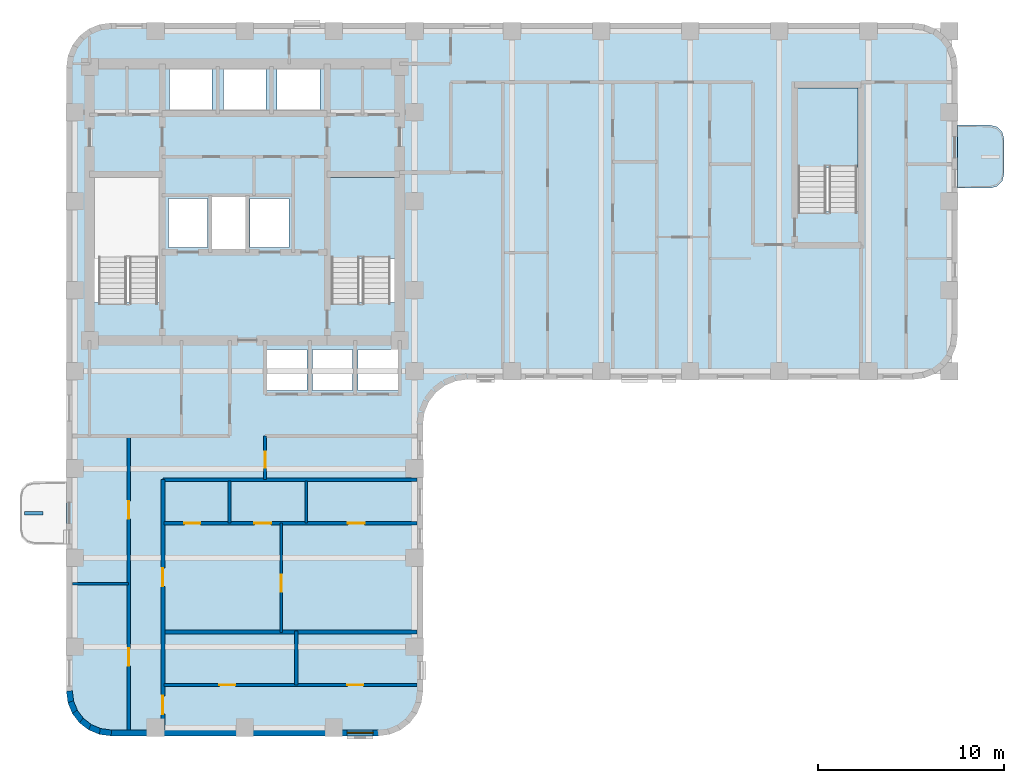
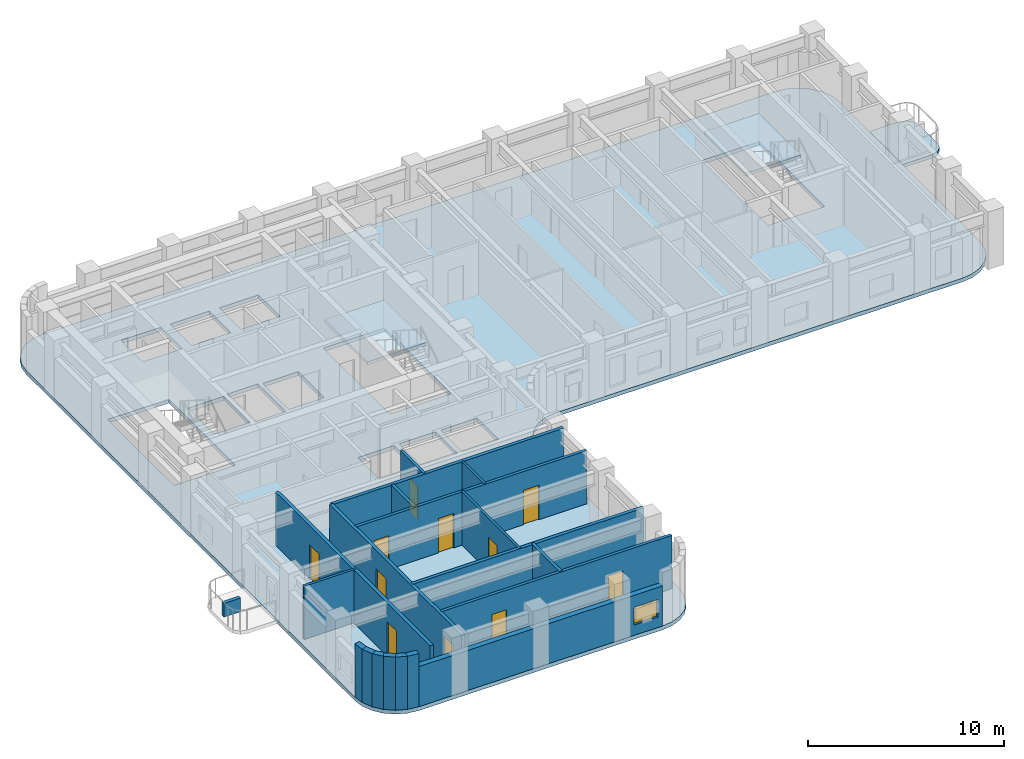
# One storey, part 2 of 10: 20 walls, 11 doors, 4 slabs, 1 window, 12 openings, 2 elements without a shape of their own.
"""IFC4 building model written with IfcOpenShell, lengths in metres."""

from ifc_helpers import new_model, si_unit, direction, frame, frame_2d, origin, place, context, subcontext, project, spatial, polyline, rectangle, outline, extrude, material, layer, layer_set, type_object, element, fill, aggregate, save


model = new_model("IFC4")

# Units and contexts
model_context = context("Model", 3, precision=1e-05, world=origin(), true_north=direction((0.0, 1.0)))
body_context = subcontext(model_context, "Body", "Model", "MODEL_VIEW")
ifc_project = project(units=[si_unit("LENGTHUNIT", "METRE"), si_unit("AREAUNIT", "SQUARE_METRE"), si_unit("VOLUMEUNIT", "CUBIC_METRE"), si_unit("PLANEANGLEUNIT", "RADIAN"), si_unit("MASSUNIT", "GRAM", prefix="KILO")], contexts=[model_context])

# Site, building, storey
site_placement = place(None, origin())
site = spatial("IfcSite", under=ifc_project, at=site_placement, CompositionType="ELEMENT")
building_placement = place(site_placement, origin())
building = spatial("IfcBuilding", under=site, at=building_placement, Name="Orvandelia Arch Residences", CompositionType="ELEMENT")
storey_placement = place(building_placement, frame((0.0, 0.0, 150.39990234375)))
storey = spatial("IfcBuildingStorey", under=building, at=storey_placement, Name="L39", CompositionType="ELEMENT", Elevation=150.39990234375)

# Slab
ifc_material_1 = material(Name="Precast concrete C40/50", Category="concrete")
ifc_layer_1 = layer(ifc_material_1, 0.219970703125, Name="Precast concrete C40/50", Category="concrete")
ifc_layer_set_1 = layer_set([ifc_layer_1], Name="Precast concrete C40/50")
slab_type_1 = type_object("IfcSlabType", Name="SLB-BAL-220", PredefinedType="USERDEFINED", material=ifc_layer_set_1)
slab_1_placement = place(storey_placement, frame((0.0, 0.0, -0.219970703125)))
element("IfcSlab", 1, at=slab_1_placement, inside=storey, type_object=slab_type_1, Name="Tree Balcony Cantilever Slab BAL-L39-E1", ObjectType="BALCONY", PredefinedType="USERDEFINED", context=body_context, shape_type="SweptSolid", body=[
    extrude(outline(polyline([(52.800048828125, 42.5), (52.800048828125, 39.10009765625), (54.550048828125, 39.10009765625), (54.925048828125, 39.200439453125), (55.199462890625, 39.47509765625), (55.300048828125, 39.85009765625), (55.300048828125, 41.75), (55.199462890625, 42.125), (54.925048828125, 42.3994140625), (54.550048828125, 42.5), (52.800048828125, 42.5)])), origin(), (0.0, 0.0, 1.0), 0.219970703125),
])

# Stair, slab
ifc_material_2 = material(Name="Concrete C40/50", Category="concrete")
stair_type = type_object("IfcStairType", Name="STAIR-RC-DOGLEG", PredefinedType="HALF_TURN_STAIR", material=ifc_material_2)
stair_1_placement = place(storey_placement, origin())
stair_1 = element("IfcStair", 2, at=stair_1_placement, inside=storey, type_object=stair_type, Name="L39 Protected Exit Stair ST-2", PredefinedType="HALF_TURN_STAIR")
ifc_layer_2 = layer(ifc_material_2, 0.219970703125, Name="Concrete C40/50", Category="concrete")
ifc_layer_set_2 = layer_set([ifc_layer_2], Name="Concrete C40/50")
slab_type_2 = type_object("IfcSlabType", Name="SLB-LANDING-220", PredefinedType="LANDING", material=ifc_layer_set_2)
slab_2_placement = place(storey_placement, frame((0.0, 0.0, 1.60009765625)))
slab_2 = element("IfcSlab", 3, at=slab_2_placement, type_object=slab_type_2, Name="ST-2 landing 1", PredefinedType="LANDING", context=body_context, shape_type="SweptSolid", body=[
    extrude(outline(polyline([(22.5400390625, 35.31005859375), (22.5400390625, 39.68994140625), (19.0, 39.68994140625), (19.0, 35.31005859375), (22.5400390625, 35.31005859375)])), origin(), (0.0, 0.0, 1.0), 0.199951171875),
])
aggregate(stair_1, [slab_2])

stair_2_placement = place(storey_placement, origin())
stair_2 = element("IfcStair", 4, at=stair_2_placement, inside=storey, type_object=stair_type, Name="L39 East Wing Exit Stair ST-3", PredefinedType="HALF_TURN_STAIR")
slab_3_placement = place(storey_placement, frame((0.0, 0.0, 1.60009765625)))
slab_3 = element("IfcSlab", 5, at=slab_3_placement, type_object=slab_type_2, Name="ST-3 landing 1", PredefinedType="LANDING", context=body_context, shape_type="SweptSolid", body=[
    extrude(outline(polyline([(47.43994140625, 40.2099609375), (47.43994140625, 44.5), (44.179931640625, 44.5), (44.179931640625, 40.2099609375), (47.43994140625, 40.2099609375)])), origin(), (0.0, 0.0, 1.0), 0.199951171875),
])
aggregate(stair_2, [slab_3])

# Slab
ifc_layer_3 = layer(ifc_material_2, 0.239990234375, Name="Concrete C40/50", Category="concrete")
ifc_layer_set_3 = layer_set([ifc_layer_3], Name="Concrete C40/50")
slab_type_3 = type_object("IfcSlabType", Name="SLB-TWR-240", PredefinedType="FLOOR", material=ifc_layer_set_3)
slab_4_placement = place(storey_placement, frame((0.0, 0.0, -0.239990234375)))
element("IfcSlab", 6, at=slab_4_placement, inside=storey, type_object=slab_type_3, Name="Structural Floor Slab L39-1", PredefinedType="FLOOR", context=body_context, shape_type="SweptSolid", body=[
    extrude(outline(polyline([(4.800048828125, 12.0), (4.8818359375, 11.37890625), (5.12158203125, 10.800048828125), (5.5029296875, 10.302978515625), (6.0, 9.92138671875), (6.578857421875, 9.681884765625), (7.199951171875, 9.60009765625), (21.60009765625, 9.60009765625), (22.22119140625, 9.681884765625), (22.800048828125, 9.92138671875), (23.297119140625, 10.302978515625), (23.678466796875, 10.800048828125), (23.918212890625, 11.37890625), (24.0, 12.0), (24.0, 26.39990234375), (24.081787109375, 27.021240234375), (24.321533203125, 27.60009765625), (24.702880859375, 28.09716796875), (25.199951171875, 28.478515625), (25.77880859375, 28.71826171875), (26.39990234375, 28.800048828125), (50.39990234375, 28.800048828125), (51.021240234375, 28.8818359375), (51.60009765625, 29.12158203125), (52.09716796875, 29.5029296875), (52.478515625, 30.0), (52.71826171875, 30.578857421875), (52.800048828125, 31.199951171875), (52.800048828125, 45.60009765625), (52.71826171875, 46.22119140625), (52.478515625, 46.800048828125), (52.09716796875, 47.297119140625), (51.60009765625, 47.678466796875), (51.021240234375, 47.918212890625), (50.39990234375, 48.0), (7.199951171875, 48.0), (6.578857421875, 47.918212890625), (6.0, 47.678466796875), (5.5029296875, 47.297119140625), (5.12158203125, 46.800048828125), (4.8818359375, 46.22119140625), (4.800048828125, 45.60009765625), (4.800048828125, 12.0)]), holes=[polyline([(6.219970703125, 32.949951171875), (9.840087890625, 32.949951171875), (9.840087890625, 39.72998046875), (6.219970703125, 39.72998046875), (6.219970703125, 32.949951171875)]), polyline([(18.9599609375, 32.949951171875), (22.580078125, 32.949951171875), (22.580078125, 39.72998046875), (18.9599609375, 39.72998046875), (18.9599609375, 32.949951171875)]), polyline([(44.139892578125, 37.85009765625), (47.47998046875, 37.85009765625), (47.47998046875, 44.5400390625), (44.139892578125, 44.5400390625), (44.139892578125, 37.85009765625)]), polyline([(12.639892578125, 35.81005859375), (14.4599609375, 35.81005859375), (14.4599609375, 38.639892578125), (12.639892578125, 38.639892578125), (12.639892578125, 35.81005859375)]), polyline([(10.300048828125, 35.89990234375), (12.39990234375, 35.89990234375), (12.39990234375, 38.550048828125), (10.300048828125, 38.550048828125), (10.300048828125, 35.89990234375)]), polyline([(14.699951171875, 35.89990234375), (16.800048828125, 35.89990234375), (16.800048828125, 38.550048828125), (14.699951171875, 38.550048828125), (14.699951171875, 35.89990234375)]), polyline([(10.35009765625, 43.300048828125), (12.64990234375, 43.300048828125), (12.64990234375, 45.5), (10.35009765625, 45.5), (10.35009765625, 43.300048828125)]), polyline([(13.25, 43.300048828125), (15.550048828125, 43.300048828125), (15.550048828125, 45.5), (13.25, 45.5), (13.25, 43.300048828125)]), polyline([(16.14990234375, 43.300048828125), (18.449951171875, 43.300048828125), (18.449951171875, 45.5), (16.14990234375, 45.5), (16.14990234375, 43.300048828125)]), polyline([(15.60009765625, 28.199951171875), (17.75, 28.199951171875), (17.75, 30.39990234375), (15.60009765625, 30.39990234375), (15.60009765625, 28.199951171875)]), polyline([(18.050048828125, 28.199951171875), (20.199951171875, 28.199951171875), (20.199951171875, 30.39990234375), (18.050048828125, 30.39990234375), (18.050048828125, 28.199951171875)]), polyline([(20.5, 28.199951171875), (22.64990234375, 28.199951171875), (22.64990234375, 30.39990234375), (20.5, 30.39990234375), (20.5, 28.199951171875)])]), origin(), (0.0, 0.0, 1.0), 0.239990234375),
])

# Wall, openings, doors
ifc_material_3 = material(Name="Fire-Rated Corridor Partition")
ifc_layer_4 = layer(ifc_material_3, 0.199951171875, Name="Fire-Rated Corridor Partition")
ifc_layer_set_4 = layer_set([ifc_layer_4], Name="Fire-Rated Corridor Partition")
wall_type_1 = type_object("IfcWallType", Name="WL-CORR-200", PredefinedType="PARTITIONING", material=ifc_layer_set_4)
wall_1_placement = place(storey_placement, frame((8.14990234375, 9.919921875, 0.0), z_axis=(0.0, 0.0, 1.0), x_axis=(0.0, 1.0, 0.0)))
wall_1 = element("IfcWall", 7, at=wall_1_placement, inside=storey, type_object=wall_type_1, Name="Interior Partition Wall WL-L39-WC-W", PredefinedType="PARTITIONING", context=body_context, shape_type="SweptSolid", body=[
    extrude(rectangle(XDim=15.830078125, YDim=0.199951171875, at=frame_2d((7.9150390625, 0.0))), origin(), (0.0, 0.0, 1.0), 3.320068359375),
])
opening_1_placement = place(wall_1_placement, frame((3.449951171875, 0.0, 0.0)))
opening_1 = element("IfcOpeningElement", 8, at=opening_1_placement, cuts=wall_1, Name="Opening D2", PredefinedType="OPENING", context=body_context, shape_type="SweptSolid", body=[
    extrude(rectangle(XDim=0.949951171875, YDim=2.14990234375, at=frame_2d((0.47509765625, 1.074951171875))), frame((0.0, 0.10986328125, 0.0), z_axis=(0.0, -1.0, 0.0), x_axis=(1.0, 0.0, 0.0)), (0.0, 0.0, 1.0), 0.219970703125),
])
opening_2_placement = place(wall_1_placement, frame((11.3701171875, 0.0, 0.0)))
opening_2 = element("IfcOpeningElement", 9, at=opening_2_placement, cuts=wall_1, Name="Opening D2", PredefinedType="OPENING", context=body_context, shape_type="SweptSolid", body=[
    extrude(rectangle(XDim=0.949951171875, YDim=2.14990234375, at=frame_2d((0.47509765625, 1.074951171875))), frame((0.0, 0.10986328125, 0.0), z_axis=(0.0, -1.0, 0.0), x_axis=(1.0, 0.0, 0.0)), (0.0, 0.0, 1.0), 0.219970703125),
])
ifc_material_4 = material(Name="Solid-Core Timber Interior Fire Door", Category="wood")
door_type_1 = type_object("IfcDoorType", Name="DR-APT-950", OperationType="NOTDEFINED", PredefinedType="DOOR", material=ifc_material_4)
door_1_placement = place(opening_1_placement, origin())
door_1 = element("IfcDoor", 10, at=door_1_placement, inside=storey, type_object=door_type_1, Name="DR-L39-WGRM-1", OperationType="SINGLE_SWING_LEFT", OverallHeight=2.14990234375, OverallWidth=0.949951171875, PredefinedType="DOOR", context=body_context, shape_type="SweptSolid", body=[
    extrude(rectangle(XDim=0.949951171875, YDim=2.14990234375, at=frame_2d((0.47509765625, 1.074951171875))), frame((0.0, 0.02490234375, 0.0), z_axis=(0.0, -1.0, 0.0), x_axis=(1.0, 0.0, 0.0)), (0.0, 0.0, 1.0), 0.050048828125),
])
fill(opening_1, door_1)
door_2_placement = place(opening_2_placement, origin())
door_2 = element("IfcDoor", 11, at=door_2_placement, inside=storey, type_object=door_type_1, Name="DR-L39-WGRM-2", OperationType="SINGLE_SWING_RIGHT", OverallHeight=2.14990234375, OverallWidth=0.949951171875, PredefinedType="DOOR", context=body_context, shape_type="SweptSolid", body=[
    extrude(rectangle(XDim=0.949951171875, YDim=2.14990234375, at=frame_2d((0.47509765625, 1.074951171875))), frame((0.0, 0.02490234375, 0.0), z_axis=(0.0, -1.0, 0.0), x_axis=(1.0, 0.0, 0.0)), (0.0, 0.0, 1.0), 0.050048828125),
])
fill(opening_2, door_2)

wall_2_placement = place(storey_placement, frame((10.0, 9.919921875, 0.0), z_axis=(0.0, 0.0, 1.0), x_axis=(0.0, 1.0, 0.0)))
wall_2 = element("IfcWall", 12, at=wall_2_placement, inside=storey, type_object=wall_type_1, Name="Interior Partition Wall WL-L39-WC-E", PredefinedType="PARTITIONING", context=body_context, shape_type="SweptSolid", body=[
    extrude(rectangle(XDim=13.47998046875, YDim=0.199951171875, at=frame_2d((6.739990234375, 0.0))), origin(), (0.0, 0.0, 1.0), 3.320068359375),
])
opening_3_placement = place(wall_2_placement, frame((0.85107421875, 0.0, 0.0)))
opening_3 = element("IfcOpeningElement", 13, at=opening_3_placement, cuts=wall_2, Name="Opening D1", PredefinedType="OPENING", context=body_context, shape_type="SweptSolid", body=[
    extrude(rectangle(XDim=0.97998046875, YDim=2.179931640625, at=frame_2d((0.489990234375, 1.08984375))), frame((0.0, 0.10986328125, 0.0), z_axis=(0.0, -1.0, 0.0), x_axis=(1.0, 0.0, 0.0)), (0.0, 0.0, 1.0), 0.219970703125),
])
opening_4_placement = place(wall_2_placement, frame((7.739990234375, 0.0, 0.0)))
opening_4 = element("IfcOpeningElement", 14, at=opening_4_placement, cuts=wall_2, Name="Opening D1", PredefinedType="OPENING", context=body_context, shape_type="SweptSolid", body=[
    extrude(rectangle(XDim=0.97998046875, YDim=2.179931640625, at=frame_2d((0.489990234375, 1.08984375))), frame((0.0, 0.10986328125, 0.0), z_axis=(0.0, -1.0, 0.0), x_axis=(1.0, 0.0, 0.0)), (0.0, 0.0, 1.0), 0.219970703125),
])
ifc_material_5 = material(Name="Solid-Core Timber Acoustic Fire Door", Category="wood")
door_type_2 = type_object("IfcDoorType", Name="DR-ENT-980", OperationType="NOTDEFINED", PredefinedType="DOOR", material=ifc_material_5)
door_3_placement = place(opening_3_placement, origin())
door_3 = element("IfcDoor", 15, at=door_3_placement, inside=storey, type_object=door_type_2, Name="Unit L39-01 Entrance Door", OperationType="SINGLE_SWING_LEFT", OverallHeight=2.179931640625, OverallWidth=0.97998046875, PredefinedType="DOOR", context=body_context, shape_type="SweptSolid", body=[
    extrude(rectangle(XDim=0.97998046875, YDim=2.179931640625, at=frame_2d((0.489990234375, 1.08984375))), frame((0.0, 0.02490234375, 0.0), z_axis=(0.0, -1.0, 0.0), x_axis=(1.0, 0.0, 0.0)), (0.0, 0.0, 1.0), 0.050048828125),
])
fill(opening_3, door_3)
door_4_placement = place(opening_4_placement, origin())
door_4 = element("IfcDoor", 16, at=door_4_placement, inside=storey, type_object=door_type_2, Name="Unit L39-02 Entrance Door", OperationType="SINGLE_SWING_RIGHT", OverallHeight=2.179931640625, OverallWidth=0.97998046875, PredefinedType="DOOR", context=body_context, shape_type="SweptSolid", body=[
    extrude(rectangle(XDim=0.97998046875, YDim=2.179931640625, at=frame_2d((0.489990234375, 1.08984375))), frame((0.0, 0.02490234375, 0.0), z_axis=(0.0, -1.0, 0.0), x_axis=(1.0, 0.0, 0.0)), (0.0, 0.0, 1.0), 0.050048828125),
])
fill(opening_4, door_4)

# Walls
wall_3_placement = place(storey_placement, frame((10.0, 23.39990234375, 0.0), z_axis=(0.0, 0.0, 1.0), x_axis=(1.0, 0.0, 0.0)))
element("IfcWall", 17, at=wall_3_placement, inside=storey, type_object=wall_type_1, Name="Interior Partition Wall WL-L39-WLNK-S", PredefinedType="PARTITIONING", context=body_context, shape_type="SweptSolid", body=[
    extrude(rectangle(XDim=13.679931640625, YDim=0.199951171875, at=frame_2d((6.83984375, 0.0))), origin(), (0.0, 0.0, 1.0), 3.320068359375),
])
ifc_layer_5 = layer(ifc_material_2, 0.199951171875, Name="Concrete C40/50", Category="concrete")
ifc_layer_set_5 = layer_set([ifc_layer_5], Name="Concrete C40/50")
wall_type_2 = type_object("IfcWallType", Name="WL-DEM-200", PredefinedType="SOLIDWALL", material=ifc_layer_set_5)
wall_4_placement = place(storey_placement, frame((10.0, 15.199951171875, 0.0), z_axis=(0.0, 0.0, 1.0), x_axis=(1.0, 0.0, 0.0)))
element("IfcWall", 18, at=wall_4_placement, inside=storey, type_object=wall_type_2, Name="Interior Partition Wall WL-L39-DEM-WR-152", PredefinedType="SOLIDWALL", context=body_context, shape_type="SweptSolid", body=[
    extrude(rectangle(XDim=13.679931640625, YDim=0.199951171875, at=frame_2d((6.83984375, 0.0))), origin(), (0.0, 0.0, 1.0), 3.320068359375),
])

# Wall, opening, window
ifc_layer_6 = layer(ifc_material_1, 0.320068359375, Name="Precast concrete C40/50", Category="concrete")
ifc_layer_set_6 = layer_set([ifc_layer_6], Name="Precast concrete C40/50")
wall_type_3 = type_object("IfcWallType", Name="WL-EXT-STONE-320", PredefinedType="STANDARD", material=ifc_layer_set_6)
wall_5_placement = place(storey_placement, frame((21.60009765625, 9.760009765625, 0.0), z_axis=(0.0, 0.0, 1.0), x_axis=(-1.0, 0.0, 0.0)))
wall_5 = element("IfcWall", 19, at=wall_5_placement, inside=storey, type_object=wall_type_3, Name="Coral-Limestone Precast Facade Wall L39-035", PredefinedType="STANDARD", context=body_context, shape_type="SweptSolid", body=[
    extrude(rectangle(XDim=14.400146484375, YDim=0.320068359375, at=frame_2d((7.2001953125, 0.0))), origin(), (0.0, 0.0, 1.0), 2.5),
])
opening_5_placement = place(wall_5_placement, frame((0.282470703125, 0.0, 0.64990234375)))
opening_5 = element("IfcOpeningElement", 20, at=opening_5_placement, cuts=wall_5, Name="Opening W10", PredefinedType="OPENING", context=body_context, shape_type="SweptSolid", body=[
    extrude(rectangle(XDim=1.39990234375, YDim=1.10009765625, at=frame_2d((0.699951171875, 0.550048828125))), frame((0.0, 0.169921875, 0.0), z_axis=(0.0, -1.0, 0.0), x_axis=(1.0, 0.0, 0.0)), (0.0, 0.0, 1.0), 0.340087890625),
])
ifc_material_6 = material(Name="Tempered Low-E Insulated Glazing", Category="glass")
window_type = type_object("IfcWindowType", Name="WIN-CLR-1400x1100", PartitioningType="SINGLE_PANEL", PredefinedType="WINDOW", material=ifc_material_6)
window_placement = place(opening_5_placement, origin())
window = element("IfcWindow", 21, at=window_placement, inside=storey, type_object=window_type, Name="Recessed Punched Window L39-018", OverallHeight=1.10009765625, OverallWidth=1.39990234375, PartitioningType="SINGLE_PANEL", PredefinedType="WINDOW", context=body_context, shape_type="SweptSolid", body=[
    extrude(rectangle(XDim=1.39990234375, YDim=1.10009765625, at=frame_2d((0.699951171875, 0.550048828125))), frame((0.0, 0.030029296875, 0.0), z_axis=(0.0, -1.0, 0.0), x_axis=(1.0, 0.0, 0.0)), (0.0, 0.0, 1.0), 0.06005859375),
])
fill(opening_5, window)

# Walls
wall_6_placement = place(storey_placement, frame((7.220947265625, 9.758544921875, 0.0), z_axis=(0.0, 0.0, 1.0), x_axis=(-0.991447664465, 0.130504898859, 0.0)))
element("IfcWall", 22, at=wall_6_placement, inside=storey, type_object=wall_type_3, Name="Coral-Limestone Precast Facade Wall L39-036", PredefinedType="STANDARD", context=body_context, shape_type="SweptSolid", body=[
    extrude(rectangle(XDim=0.626708984375, YDim=0.320068359375, at=frame_2d((0.3134765625, 0.0))), origin(), (0.0, 0.0, 1.0), 3.320068359375),
])
wall_7_placement = place(storey_placement, frame((6.639892578125, 9.82958984375, 0.0), z_axis=(0.0, 0.0, 1.0), x_axis=(-0.923836271867, 0.382787856107, 0.0)))
element("IfcWall", 23, at=wall_7_placement, inside=storey, type_object=wall_type_3, Name="Coral-Limestone Precast Facade Wall L39-037", PredefinedType="STANDARD", context=body_context, shape_type="SweptSolid", body=[
    extrude(rectangle(XDim=0.626220703125, YDim=0.320068359375, at=frame_2d((0.31298828125, 0.0))), origin(), (0.0, 0.0, 1.0), 3.320068359375),
])
wall_8_placement = place(storey_placement, frame((6.097412109375, 10.04833984375, 0.0), z_axis=(0.0, 0.0, 1.0), x_axis=(-0.793405610854, 0.608693302629, 0.0)))
element("IfcWall", 24, at=wall_8_placement, inside=storey, type_object=wall_type_3, Name="Coral-Limestone Precast Facade Wall L39-038", PredefinedType="STANDARD", context=body_context, shape_type="SweptSolid", body=[
    extrude(rectangle(XDim=0.62646484375, YDim=0.320068359375, at=frame_2d((0.313232421875, 0.0))), origin(), (0.0, 0.0, 1.0), 3.320068359375),
])
wall_9_placement = place(storey_placement, frame((5.6298828125, 10.400390625, 0.0), z_axis=(0.0, 0.0, 1.0), x_axis=(-0.608938521285, 0.7932174212, 0.0)))
element("IfcWall", 25, at=wall_9_placement, inside=storey, type_object=wall_type_3, Name="Coral-Limestone Precast Facade Wall L39-039", PredefinedType="STANDARD", context=body_context, shape_type="SweptSolid", body=[
    extrude(rectangle(XDim=0.626708984375, YDim=0.320068359375, at=frame_2d((0.3134765625, 0.0))), origin(), (0.0, 0.0, 1.0), 3.320068359375),
])
wall_10_placement = place(storey_placement, frame((5.269287109375, 10.861083984375, 0.0), z_axis=(0.0, 0.0, 1.0), x_axis=(-0.382650053678, 0.92389335771, 0.0)))
element("IfcWall", 26, at=wall_10_placement, inside=storey, type_object=wall_type_3, Name="Coral-Limestone Precast Facade Wall L39-040", PredefinedType="STANDARD", context=body_context, shape_type="SweptSolid", body=[
    extrude(rectangle(XDim=0.62646484375, YDim=0.320068359375, at=frame_2d((0.313232421875, 0.0))), origin(), (0.0, 0.0, 1.0), 3.320068359375),
])
wall_11_placement = place(storey_placement, frame((5.040283203125, 11.399658203125, 0.0), z_axis=(0.0, 0.0, 1.0), x_axis=(-0.130504898859, 0.991447664465, 0.0)))
element("IfcWall", 27, at=wall_11_placement, inside=storey, type_object=wall_type_3, Name="Coral-Limestone Precast Facade Wall L39-041", PredefinedType="STANDARD", context=body_context, shape_type="SweptSolid", body=[
    extrude(rectangle(XDim=0.626708984375, YDim=0.320068359375, at=frame_2d((0.3134765625, 0.0))), origin(), (0.0, 0.0, 1.0), 3.320068359375),
])
ifc_material_7 = material(Name="Lightweight Gypsum Stud Partition")
ifc_layer_7 = layer(ifc_material_7, 0.1201171875, Name="Lightweight Gypsum Stud Partition")
ifc_layer_set_7 = layer_set([ifc_layer_7], Name="Lightweight Gypsum Stud Partition")
wall_type_4 = type_object("IfcWallType", Name="WL-PART-120", PredefinedType="PARTITIONING", material=ifc_layer_set_7)
wall_12_placement = place(storey_placement, frame((17.720947265625, 21.06005859375, 0.0), z_axis=(0.0, 0.0, 1.0), x_axis=(0.0, 1.0, 0.0)))
element("IfcWall", 28, at=wall_12_placement, inside=storey, type_object=wall_type_4, Name="Interior Partition Wall WL-L39-U02-V2", PredefinedType="PARTITIONING", context=body_context, shape_type="SweptSolid", body=[
    extrude(rectangle(XDim=2.280029296875, YDim=0.1201171875, at=frame_2d((1.14013671875, 0.0))), origin(), (0.0, 0.0, 1.0), 3.320068359375),
])

# Wall, opening, door
ifc_material_8 = material(Name="Double-Layer Acoustic Gypsum Partition")
ifc_layer_8 = layer(ifc_material_8, 0.135009765625, Name="Double-Layer Acoustic Gypsum Partition")
ifc_layer_set_8 = layer_set([ifc_layer_8], Name="Double-Layer Acoustic Gypsum Partition")
wall_type_5 = type_object("IfcWallType", Name="WL-PART-135", PredefinedType="PARTITIONING", material=ifc_layer_set_8)
wall_13_placement = place(storey_placement, frame((16.37890625, 15.159912109375, 0.0), z_axis=(0.0, 0.0, 1.0), x_axis=(0.0, 1.0, 0.0)))
wall_13 = element("IfcWall", 29, at=wall_13_placement, inside=storey, type_object=wall_type_5, Name="Interior Partition Wall WL-L39-U02-DIN", PredefinedType="PARTITIONING", context=body_context, shape_type="SweptSolid", body=[
    extrude(rectangle(XDim=5.900146484375, YDim=0.135009765625, at=frame_2d((2.9501953125, 0.0))), origin(), (0.0, 0.0, 1.0), 3.320068359375),
])
opening_6_placement = place(wall_13_placement, frame((2.214111328125, 0.0, 0.0)))
opening_6 = element("IfcOpeningElement", 30, at=opening_6_placement, cuts=wall_13, Name="Opening D3", PredefinedType="OPENING", context=body_context, shape_type="SweptSolid", body=[
    extrude(rectangle(XDim=0.89990234375, YDim=2.14990234375, at=frame_2d((0.449951171875, 1.074951171875))), frame((0.0, 0.07763671875, 0.0), z_axis=(0.0, -1.0, 0.0), x_axis=(1.0, 0.0, 0.0)), (0.0, 0.0, 1.0), 0.155029296875),
])
ifc_material_9 = material(Name="Engineered Timber Flush Door", Category="wood")
door_type_3 = type_object("IfcDoorType", Name="DR-INT-900", OperationType="NOTDEFINED", PredefinedType="DOOR", material=ifc_material_9)
door_5_placement = place(opening_6_placement, origin())
door_5 = element("IfcDoor", 31, at=door_5_placement, inside=storey, type_object=door_type_3, Name="DR-L39-U02-DIN", OperationType="SINGLE_SWING_LEFT", OverallHeight=2.14990234375, OverallWidth=0.89990234375, PredefinedType="DOOR", context=body_context, shape_type="SweptSolid", body=[
    extrude(rectangle(XDim=0.89990234375, YDim=2.14990234375, at=frame_2d((0.449951171875, 1.074951171875))), frame((0.0, 0.02490234375, 0.0), z_axis=(0.0, -1.0, 0.0), x_axis=(1.0, 0.0, 0.0)), (0.0, 0.0, 1.0), 0.050048828125),
])
fill(opening_6, door_5)

ifc_material_10 = material(Name="Acoustic Gypsum Stud Partition")
ifc_layer_9 = layer(ifc_material_10, 0.14990234375, Name="Acoustic Gypsum Stud Partition")
ifc_layer_set_9 = layer_set([ifc_layer_9], Name="Acoustic Gypsum Stud Partition")
wall_type_6 = type_object("IfcWallType", Name="WL-PART-150", PredefinedType="PARTITIONING", material=ifc_layer_set_9)
wall_14_placement = place(storey_placement, frame((15.5, 23.39990234375, 0.0), z_axis=(0.0, 0.0, 1.0), x_axis=(0.0, 1.0, 0.0)))
wall_14 = element("IfcWall", 32, at=wall_14_placement, inside=storey, type_object=wall_type_6, Name="Interior Partition Wall WL-L39-WLNK-E", PredefinedType="PARTITIONING", context=body_context, shape_type="SweptSolid", body=[
    extrude(rectangle(XDim=2.35009765625, YDim=0.14990234375, at=frame_2d((1.175048828125, 0.0))), origin(), (0.0, 0.0, 1.0), 3.320068359375),
])
opening_7_placement = place(wall_14_placement, frame((0.64990234375, 0.0, 0.0)))
opening_7 = element("IfcOpeningElement", 33, at=opening_7_placement, cuts=wall_14, Name="Opening D4", PredefinedType="OPENING", context=body_context, shape_type="SweptSolid", body=[
    extrude(rectangle(XDim=0.860107421875, YDim=2.10009765625, at=frame_2d((0.43017578125, 1.050048828125))), frame((0.0, 0.0849609375, 0.0), z_axis=(0.0, -1.0, 0.0), x_axis=(1.0, 0.0, 0.0)), (0.0, 0.0, 1.0), 0.169921875),
])
ifc_material_11 = material(Name="Moisture-Sealed Timber Bathroom Door", Category="wood")
door_type_4 = type_object("IfcDoorType", Name="DR-WET-900", OperationType="NOTDEFINED", PredefinedType="DOOR", material=ifc_material_11)
door_6_placement = place(opening_7_placement, origin())
door_6 = element("IfcDoor", 34, at=door_6_placement, inside=storey, type_object=door_type_4, Name="DR-L39-WLNKST", OperationType="SINGLE_SWING_RIGHT", OverallHeight=2.10009765625, OverallWidth=0.860107421875, PredefinedType="DOOR", context=body_context, shape_type="SweptSolid", body=[
    extrude(rectangle(XDim=0.860107421875, YDim=2.10009765625, at=frame_2d((0.43017578125, 1.050048828125))), frame((0.0, 0.02490234375, 0.0), z_axis=(0.0, -1.0, 0.0), x_axis=(1.0, 0.0, 0.0)), (0.0, 0.0, 1.0), 0.050048828125),
])
fill(opening_7, door_6)

# Walls
wall_15_placement = place(storey_placement, frame((5.1201171875, 17.800048828125, 0.0), z_axis=(0.0, 0.0, 1.0), x_axis=(1.0, 0.0, 0.0)))
element("IfcWall", 35, at=wall_15_placement, inside=storey, type_object=wall_type_6, Name="Interior Partition Wall WL-L39-WGDIV-1", PredefinedType="PARTITIONING", context=body_context, shape_type="SweptSolid", body=[
    extrude(rectangle(XDim=3.02978515625, YDim=0.14990234375, at=frame_2d((1.514892578125, 0.0))), origin(), (0.0, 0.0, 1.0), 3.320068359375),
])
ifc_layer_10 = layer(ifc_material_1, 0.199951171875, Name="Precast concrete C40/50", Category="concrete")
ifc_layer_set_10 = layer_set([ifc_layer_10], Name="Precast concrete C40/50")
wall_type_7 = type_object("IfcWallType", Name="WL-PLANTER-200", PredefinedType="MOVABLE", material=ifc_layer_set_10)
wall_16_placement = place(storey_placement, frame((2.550048828125, 21.60009765625, 0.0), z_axis=(0.0, 0.0, 1.0), x_axis=(1.0, 0.0, 0.0)))
element("IfcWall", 36, at=wall_16_placement, inside=storey, type_object=wall_type_7, Name="Balcony Precast Tree Planter BAL-L39-W1", PredefinedType="MOVABLE", context=body_context, shape_type="SweptSolid", body=[
    extrude(rectangle(XDim=1.0, YDim=0.199951171875, at=frame_2d((0.5, 0.0))), origin(), (0.0, 0.0, 1.0), 0.85009765625),
])

# Wall, openings, doors
ifc_material_12 = material(Name="Moisture-Resistant Plumbing Wall")
ifc_layer_11 = layer(ifc_material_12, 0.179931640625, Name="Moisture-Resistant Plumbing Wall")
ifc_layer_set_11 = layer_set([ifc_layer_11], Name="Moisture-Resistant Plumbing Wall")
wall_type_8 = type_object("IfcWallType", Name="WL-WET-180", PredefinedType="PLUMBINGWALL", material=ifc_layer_set_11)
wall_17_placement = place(storey_placement, frame((10.06005859375, 12.342041015625, 0.0), z_axis=(0.0, 0.0, 1.0), x_axis=(1.0, 0.0, 0.0)))
wall_17 = element("IfcWall", 37, at=wall_17_placement, inside=storey, type_object=wall_type_8, Name="Interior Partition Wall WL-L39-U01-HZ", PredefinedType="PLUMBINGWALL", context=body_context, shape_type="SweptSolid", body=[
    extrude(rectangle(XDim=13.619873046875, YDim=0.179931640625, at=frame_2d((6.81005859375, 0.0))), origin(), (0.0, 0.0, 1.0), 3.320068359375),
])
opening_8_placement = place(wall_17_placement, frame((2.98193359375, 0.0, 0.0)))
opening_8 = element("IfcOpeningElement", 38, at=opening_8_placement, cuts=wall_17, Name="Opening D4", PredefinedType="OPENING", context=body_context, shape_type="SweptSolid", body=[
    extrude(rectangle(XDim=0.860107421875, YDim=2.10009765625, at=frame_2d((0.43017578125, 1.050048828125))), frame((0.0, 0.10009765625, 0.0), z_axis=(0.0, -1.0, 0.0), x_axis=(1.0, 0.0, 0.0)), (0.0, 0.0, 1.0), 0.199951171875),
])
opening_9_placement = place(wall_17_placement, frame((9.8720703125, 0.0, 0.0)))
opening_9 = element("IfcOpeningElement", 39, at=opening_9_placement, cuts=wall_17, Name="Opening D4", PredefinedType="OPENING", context=body_context, shape_type="SweptSolid", body=[
    extrude(rectangle(XDim=0.860107421875, YDim=2.10009765625, at=frame_2d((0.43017578125, 1.050048828125))), frame((0.0, 0.10009765625, 0.0), z_axis=(0.0, -1.0, 0.0), x_axis=(1.0, 0.0, 0.0)), (0.0, 0.0, 1.0), 0.199951171875),
])
door_7_placement = place(opening_8_placement, origin())
door_7 = element("IfcDoor", 40, at=door_7_placement, inside=storey, type_object=door_type_4, Name="DR-L39-U01-KIT", OperationType="SINGLE_SWING_LEFT", OverallHeight=2.10009765625, OverallWidth=0.860107421875, PredefinedType="DOOR", context=body_context, shape_type="SweptSolid", body=[
    extrude(rectangle(XDim=0.860107421875, YDim=2.10009765625, at=frame_2d((0.43017578125, 1.050048828125))), frame((0.0, 0.02490234375, 0.0), z_axis=(0.0, -1.0, 0.0), x_axis=(1.0, 0.0, 0.0)), (0.0, 0.0, 1.0), 0.050048828125),
])
fill(opening_8, door_7)
door_8_placement = place(opening_9_placement, origin())
door_8 = element("IfcDoor", 41, at=door_8_placement, inside=storey, type_object=door_type_4, Name="DR-L39-U01-BTH", OperationType="SINGLE_SWING_RIGHT", OverallHeight=2.10009765625, OverallWidth=0.860107421875, PredefinedType="DOOR", context=body_context, shape_type="SweptSolid", body=[
    extrude(rectangle(XDim=0.860107421875, YDim=2.10009765625, at=frame_2d((0.43017578125, 1.050048828125))), frame((0.0, 0.02490234375, 0.0), z_axis=(0.0, -1.0, 0.0), x_axis=(1.0, 0.0, 0.0)), (0.0, 0.0, 1.0), 0.050048828125),
])
fill(opening_9, door_8)

# Wall
wall_18_placement = place(storey_placement, frame((17.174072265625, 12.342041015625, 0.0), z_axis=(0.0, 0.0, 1.0), x_axis=(0.0, 1.0, 0.0)))
element("IfcWall", 42, at=wall_18_placement, inside=storey, type_object=wall_type_8, Name="Interior Partition Wall WL-L39-U01-V1", PredefinedType="PLUMBINGWALL", context=body_context, shape_type="SweptSolid", body=[
    extrude(rectangle(XDim=2.89794921875, YDim=0.179931640625, at=frame_2d((1.448974609375, 0.0))), origin(), (0.0, 0.0, 1.0), 3.320068359375),
])

# Wall, openings, doors
wall_19_placement = place(storey_placement, frame((10.06005859375, 21.06005859375, 0.0), z_axis=(0.0, 0.0, 1.0), x_axis=(1.0, 0.0, 0.0)))
wall_19 = element("IfcWall", 43, at=wall_19_placement, inside=storey, type_object=wall_type_8, Name="Interior Partition Wall WL-L39-U02-HZ", PredefinedType="PLUMBINGWALL", context=body_context, shape_type="SweptSolid", body=[
    extrude(rectangle(XDim=13.619873046875, YDim=0.179931640625, at=frame_2d((6.81005859375, 0.0))), origin(), (0.0, 0.0, 1.0), 3.320068359375),
])
opening_10_placement = place(wall_19_placement, frame((1.0908203125, 0.0, 0.0)))
opening_10 = element("IfcOpeningElement", 44, at=opening_10_placement, cuts=wall_19, Name="Opening D4", PredefinedType="OPENING", context=body_context, shape_type="SweptSolid", body=[
    extrude(rectangle(XDim=0.860107421875, YDim=2.10009765625, at=frame_2d((0.43017578125, 1.050048828125))), frame((0.0, 0.10009765625, 0.0), z_axis=(0.0, -1.0, 0.0), x_axis=(1.0, 0.0, 0.0)), (0.0, 0.0, 1.0), 0.199951171875),
])
opening_11_placement = place(wall_19_placement, frame((4.8681640625, 0.0, 0.0)))
opening_11 = element("IfcOpeningElement", 45, at=opening_11_placement, cuts=wall_19, Name="Opening D3", PredefinedType="OPENING", context=body_context, shape_type="SweptSolid", body=[
    extrude(rectangle(XDim=0.89990234375, YDim=2.14990234375, at=frame_2d((0.449951171875, 1.074951171875))), frame((0.0, 0.10009765625, 0.0), z_axis=(0.0, -1.0, 0.0), x_axis=(1.0, 0.0, 0.0)), (0.0, 0.0, 1.0), 0.199951171875),
])
opening_12_placement = place(wall_19_placement, frame((9.897216796875, 0.0, 0.0)))
opening_12 = element("IfcOpeningElement", 46, at=opening_12_placement, cuts=wall_19, Name="Opening D3", PredefinedType="OPENING", context=body_context, shape_type="SweptSolid", body=[
    extrude(rectangle(XDim=0.89990234375, YDim=2.14990234375, at=frame_2d((0.449951171875, 1.074951171875))), frame((0.0, 0.10009765625, 0.0), z_axis=(0.0, -1.0, 0.0), x_axis=(1.0, 0.0, 0.0)), (0.0, 0.0, 1.0), 0.199951171875),
])
door_9_placement = place(opening_11_placement, origin())
door_9 = element("IfcDoor", 47, at=door_9_placement, inside=storey, type_object=door_type_3, Name="DR-L39-U02-KIT", OperationType="SINGLE_SWING_RIGHT", OverallHeight=2.14990234375, OverallWidth=0.89990234375, PredefinedType="DOOR", context=body_context, shape_type="SweptSolid", body=[
    extrude(rectangle(XDim=0.89990234375, YDim=2.14990234375, at=frame_2d((0.449951171875, 1.074951171875))), frame((0.0, 0.02490234375, 0.0), z_axis=(0.0, -1.0, 0.0), x_axis=(1.0, 0.0, 0.0)), (0.0, 0.0, 1.0), 0.050048828125),
])
fill(opening_11, door_9)
door_10_placement = place(opening_12_placement, origin())
door_10 = element("IfcDoor", 48, at=door_10_placement, inside=storey, type_object=door_type_3, Name="DR-L39-U02-BD1", OperationType="SINGLE_SWING_LEFT", OverallHeight=2.14990234375, OverallWidth=0.89990234375, PredefinedType="DOOR", context=body_context, shape_type="SweptSolid", body=[
    extrude(rectangle(XDim=0.89990234375, YDim=2.14990234375, at=frame_2d((0.449951171875, 1.074951171875))), frame((0.0, 0.02490234375, 0.0), z_axis=(0.0, -1.0, 0.0), x_axis=(1.0, 0.0, 0.0)), (0.0, 0.0, 1.0), 0.050048828125),
])
fill(opening_12, door_10)
door_11_placement = place(opening_10_placement, origin())
door_11 = element("IfcDoor", 49, at=door_11_placement, inside=storey, type_object=door_type_4, Name="DR-L39-U02-BTH", OperationType="SINGLE_SWING_LEFT", OverallHeight=2.10009765625, OverallWidth=0.860107421875, PredefinedType="DOOR", context=body_context, shape_type="SweptSolid", body=[
    extrude(rectangle(XDim=0.860107421875, YDim=2.10009765625, at=frame_2d((0.43017578125, 1.050048828125))), frame((0.0, 0.02490234375, 0.0), z_axis=(0.0, -1.0, 0.0), x_axis=(1.0, 0.0, 0.0)), (0.0, 0.0, 1.0), 0.050048828125),
])
fill(opening_10, door_11)

# Wall
wall_20_placement = place(storey_placement, frame((13.583984375, 21.06005859375, 0.0), z_axis=(0.0, 0.0, 1.0), x_axis=(0.0, 1.0, 0.0)))
element("IfcWall", 50, at=wall_20_placement, inside=storey, type_object=wall_type_8, Name="Interior Partition Wall WL-L39-U02-V1", PredefinedType="PLUMBINGWALL", context=body_context, shape_type="SweptSolid", body=[
    extrude(rectangle(XDim=2.280029296875, YDim=0.179931640625, at=frame_2d((1.14013671875, 0.0))), origin(), (0.0, 0.0, 1.0), 3.320068359375),
])

save(model, "model.ifc")
